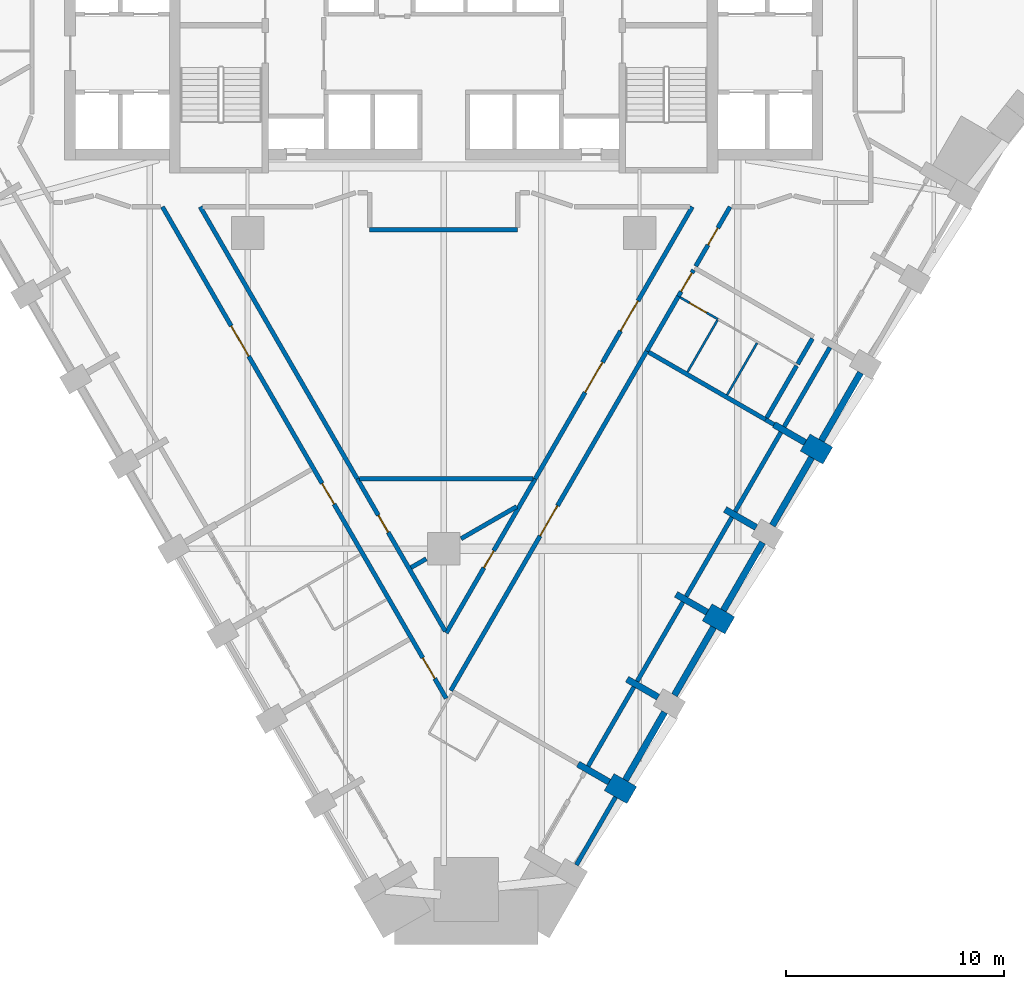
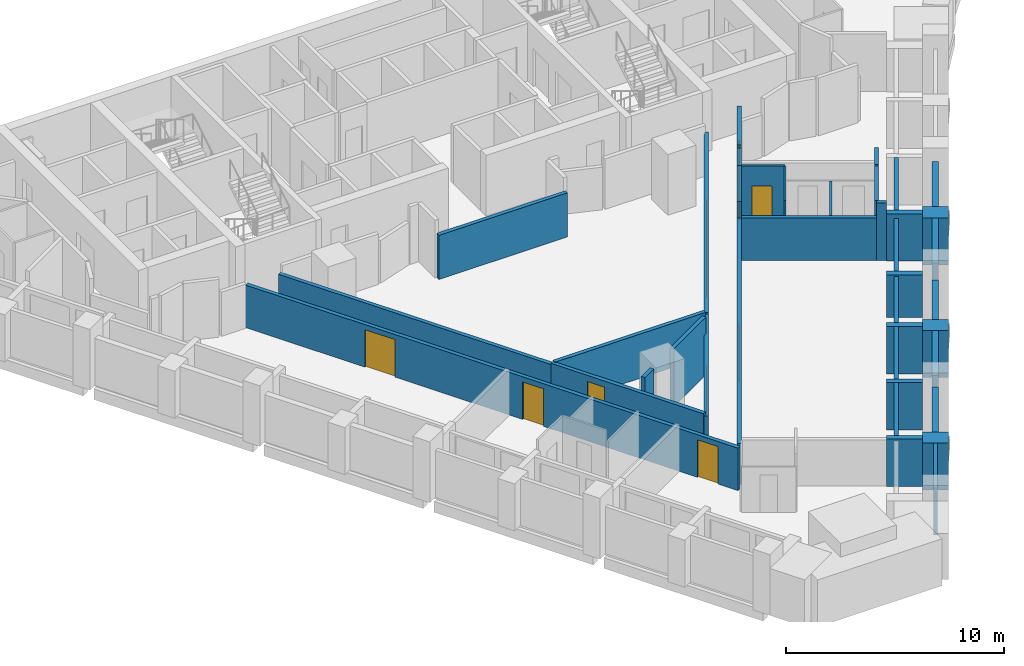
# One storey, part 4 of 10: 39 walls, 11 doors, 11 openings.
"""IFC4 building model written with IfcOpenShell, lengths in metres."""

from ifc_helpers import new_model, si_unit, direction, frame, frame_2d, origin, place, context, subcontext, project, spatial, rectangle, extrude, material, layer, layer_set, type_object, element, fill, save


model = new_model("IFC4")

# Units and contexts
model_context = context("Model", 3, precision=1e-05, world=origin(), true_north=direction((0.0, 1.0)))
body_context = subcontext(model_context, "Body", "Model", "MODEL_VIEW")
ifc_project = project(units=[si_unit("LENGTHUNIT", "METRE"), si_unit("AREAUNIT", "SQUARE_METRE"), si_unit("VOLUMEUNIT", "CUBIC_METRE"), si_unit("PLANEANGLEUNIT", "RADIAN"), si_unit("MASSUNIT", "GRAM", prefix="KILO")], contexts=[model_context])

# Site, building, storey
site_placement = place(None, origin())
site = spatial("IfcSite", under=ifc_project, at=site_placement, CompositionType="ELEMENT")
building_placement = place(site_placement, origin())
building = spatial("IfcBuilding", under=site, at=building_placement, Name="Calabash Gate Tower", CompositionType="ELEMENT")
storey_placement = place(building_placement, frame((0.0, 0.0, 102.0)))
storey = spatial("IfcBuildingStorey", under=building, at=storey_placement, Name="L22", CompositionType="ELEMENT", Elevation=102.0)

# Walls
ifc_material_1 = material(Name="Terracotta brick masonry, exposed face", Category="masonry")
ifc_layer_1 = layer(ifc_material_1, 1.199951171875)
ifc_layer_set_1 = layer_set([ifc_layer_1], Name="Brick end wall 1200")
wall_type_1 = type_object("IfcWallType", Name="Brick end wall 1200", PredefinedType="SOLIDWALL", material=ifc_layer_set_1)
for number, where, z_axis, x_axis, name in (
    (1, (7.59765625, -22.71240234375, 0.0), (0.0, 0.0, 1.0), (0.866043267704, -0.499969057507, 0.0), "Brick pier S06 SE2.1"),
    (2, (13.13671875, -15.51806640625, 0.0), (0.0, 0.0, 1.0), (-0.866043267704, 0.499969057507, 0.0), "Brick pier S06 SE2.3"),
):
    element("IfcWall", number, at=place(storey_placement, frame(where, z_axis=z_axis, x_axis=x_axis)), inside=storey, type_object=wall_type_1, Name=name, PredefinedType="SOLIDWALL", context=body_context, shape_type="SweptSolid", body=[
        extrude(rectangle(XDim=1.19970703125, YDim=0.89990234375, at=frame_2d((0.599853515625, 0.0))), origin(), (0.0, 0.0, 1.0), 2.6298828125),
    ])
wall_1_placement = place(storey_placement, frame((17.63671875, -7.723876953125, 0.0), z_axis=(0.0, 0.0, 1.0), x_axis=(-0.865955154139, 0.50012165622, 0.0)))
element("IfcWall", 3, at=wall_1_placement, inside=storey, type_object=wall_type_1, Name="Brick pier S06 SE2.5", PredefinedType="SOLIDWALL", context=body_context, shape_type="SweptSolid", body=[
    extrude(rectangle(XDim=1.199951171875, YDim=0.89990234375, at=frame_2d((0.60009765625, 0.0))), origin(), (0.0, 0.0, 1.0), 2.6298828125),
])
ifc_material_2 = material(Name="Terracotta brick masonry, exposed face", Category="masonry")
ifc_layer_2 = layer(ifc_material_2, 0.300048828125)
ifc_layer_set_2 = layer_set([ifc_layer_2], Name="Brick infill panel wall 300")
wall_type_2 = type_object("IfcWallType", Name="Brick infill panel wall 300", PredefinedType="SOLIDWALL", material=ifc_layer_set_2)
wall_2_placement = place(storey_placement, frame((8.342041015625, -22.62255859375, 0.0), z_axis=(0.0, 0.0, 1.0), x_axis=(0.500012057535, 0.866018442252, 0.0)))
element("IfcWall", 4, at=wall_2_placement, inside=storey, type_object=wall_type_2, Name="Brick panel S06 SE2.2", PredefinedType="SOLIDWALL", context=body_context, shape_type="SweptSolid", body=[
    extrude(rectangle(XDim=3.60009765625, YDim=0.300048828125, at=frame_2d((1.800048828125, 0.0))), origin(), (0.0, 0.0, 1.0), 2.6298828125),
])
wall_3_placement = place(storey_placement, frame((10.593017578125, -18.723876953125, 0.0), z_axis=(0.0, 0.0, 1.0), x_axis=(0.500014173611, 0.866017220491, 0.0)))
element("IfcWall", 5, at=wall_3_placement, inside=storey, type_object=wall_type_2, Name="Brick panel S06 SE2.3", PredefinedType="SOLIDWALL", context=body_context, shape_type="SweptSolid", body=[
    extrude(rectangle(XDim=3.59814453125, YDim=0.300048828125, at=frame_2d((1.799072265625, 0.0))), origin(), (0.0, 0.0, 1.0), 2.6298828125),
])
wall_4_placement = place(storey_placement, frame((12.842041015625, -14.828369140625, 0.0), z_axis=(0.0, 0.0, 1.0), x_axis=(0.500012057535, 0.866018442252, 0.0)))
element("IfcWall", 6, at=wall_4_placement, inside=storey, type_object=wall_type_2, Name="Brick panel S06 SE2.4", PredefinedType="SOLIDWALL", context=body_context, shape_type="SweptSolid", body=[
    extrude(rectangle(XDim=3.60009765625, YDim=0.300048828125, at=frame_2d((1.800048828125, 0.0))), origin(), (0.0, 0.0, 1.0), 2.302490234375),
])
for number, where, z_axis, x_axis, name in (
    (7, (15.092041015625, -10.931396484375, 0.0), (0.0, 0.0, 1.0), (0.500012057535, 0.866018442252, 0.0), "Brick panel S06 SE2.5"),
    (8, (17.342041015625, -7.0341796875, 0.0), (0.0, 0.0, 1.0), (0.500012057535, 0.866018442252, 0.0), "Brick panel S06 SE2.6"),
):
    element("IfcWall", number, at=place(storey_placement, frame(where, z_axis=z_axis, x_axis=x_axis)), inside=storey, type_object=wall_type_2, Name=name, PredefinedType="SOLIDWALL", context=body_context, shape_type="SweptSolid", body=[
        extrude(rectangle(XDim=3.60009765625, YDim=0.300048828125, at=frame_2d((1.800048828125, 0.0))), origin(), (0.0, 0.0, 1.0), 2.6298828125),
    ])
ifc_material_3 = material(Name="Terracotta brick masonry, exposed face", Category="masonry")
ifc_layer_3 = layer(ifc_material_3, 0.300048828125)
ifc_layer_set_3 = layer_set([ifc_layer_3], Name="Brick loggia cheek wall 300")
wall_type_3 = type_object("IfcWallType", Name="Brick loggia cheek wall 300", PredefinedType="SOLIDWALL", material=ifc_layer_set_3)
wall_5_placement = place(storey_placement, frame((7.59765625, -22.71240234375, 0.0), z_axis=(0.0, 0.0, 1.0), x_axis=(-0.866040211805, 0.499974350878, 0.0)))
element("IfcWall", 9, at=wall_5_placement, inside=storey, type_object=wall_type_3, Name="Loggia cheek S06 SE2.1", PredefinedType="SOLIDWALL", context=body_context, shape_type="SweptSolid", body=[
    extrude(rectangle(XDim=1.64990234375, YDim=0.300048828125, at=frame_2d((0.824951171875, 0.0))), origin(), (0.0, 0.0, 1.0), 2.64990234375),
])
wall_6_placement = place(storey_placement, frame((9.846435546875, -18.814697265625, 0.0), z_axis=(0.0, 0.0, 1.0), x_axis=(-0.865983361098, 0.500072813, 0.0)))
element("IfcWall", 10, at=wall_6_placement, inside=storey, type_object=wall_type_3, Name="Loggia cheek S06 SE2.2", PredefinedType="SOLIDWALL", context=body_context, shape_type="SweptSolid", body=[
    extrude(rectangle(XDim=1.648681640625, YDim=0.300048828125, at=frame_2d((0.82421875, 0.0))), origin(), (0.0, 0.0, 1.0), 2.64990234375),
])
wall_7_placement = place(storey_placement, frame((12.09765625, -14.918212890625, 0.0), z_axis=(0.0, 0.0, 1.0), x_axis=(-0.865976140824, 0.500085316245, 0.0)))
element("IfcWall", 11, at=wall_7_placement, inside=storey, type_object=wall_type_3, Name="Loggia cheek S06 SE2.3", PredefinedType="SOLIDWALL", context=body_context, shape_type="SweptSolid", body=[
    extrude(rectangle(XDim=1.650146484375, YDim=0.300048828125, at=frame_2d((0.8251953125, 0.0))), origin(), (0.0, 0.0, 1.0), 2.64990234375),
])
wall_8_placement = place(storey_placement, frame((14.347412109375, -11.02099609375, 0.0), z_axis=(0.0, 0.0, 1.0), x_axis=(-0.866003217194, 0.500038426333, 0.0)))
element("IfcWall", 12, at=wall_8_placement, inside=storey, type_object=wall_type_3, Name="Loggia cheek S06 SE2.4", PredefinedType="SOLIDWALL", context=body_context, shape_type="SweptSolid", body=[
    extrude(rectangle(XDim=1.649658203125, YDim=0.300048828125, at=frame_2d((0.82470703125, 0.0))), origin(), (0.0, 0.0, 1.0), 2.384033203125),
])
wall_9_placement = place(storey_placement, frame((15.168701171875, -6.298828125, 0.0), z_axis=(0.0, 0.0, 1.0), x_axis=(0.866040211805, -0.499974350878, 0.0)))
element("IfcWall", 13, at=wall_9_placement, inside=storey, type_object=wall_type_3, Name="Loggia cheek S06 SE2.5", PredefinedType="SOLIDWALL", context=body_context, shape_type="SweptSolid", body=[
    extrude(rectangle(XDim=1.64990234375, YDim=0.300048828125, at=frame_2d((0.824951171875, 0.0))), origin(), (0.0, 0.0, 1.0), 2.64990234375),
])
ifc_material_4 = material(Name="Gypsum board on steel studs, mineral wool", Category="steel")
ifc_layer_4 = layer(ifc_material_4, 0.10009765625)
ifc_layer_set_4 = layer_set([ifc_layer_4], Name="Partition 100 gypsum board")
wall_type_4 = type_object("IfcWallType", Name="Partition 100 gypsum board", PredefinedType="PARTITIONING", material=ifc_layer_set_4)
wall_10_placement = place(storey_placement, frame((13.01220703125, -4.93798828125, 0.0), z_axis=(0.0, 0.0, 1.0), x_axis=(0.499968400327, 0.866043647095, 0.0)))
element("IfcWall", 14, at=wall_10_placement, inside=storey, type_object=wall_type_4, Name="Partition", PredefinedType="PARTITIONING", context=body_context, shape_type="SweptSolid", body=[
    extrude(rectangle(XDim=2.749755859375, YDim=0.10009765625, at=frame_2d((1.375, 0.0))), origin(), (0.0, 0.0, 1.0), 2.384033203125),
])
wall_11_placement = place(storey_placement, frame((11.193359375, -3.88818359375, 0.0), z_axis=(0.0, 0.0, 1.0), x_axis=(0.499996545922, 0.866027397988, 0.0)))
element("IfcWall", 15, at=wall_11_placement, inside=storey, type_object=wall_type_4, Name="Partition", PredefinedType="PARTITIONING", context=body_context, shape_type="SweptSolid", body=[
    extrude(rectangle(XDim=2.75, YDim=0.10009765625, at=frame_2d((1.375, 0.0))), origin(), (0.0, 0.0, 1.0), 3.22998046875),
])

# Wall, opening, door
wall_12_placement = place(storey_placement, frame((10.860595703125, -0.461181640625, 0.0), z_axis=(0.0, 0.0, 1.0), x_axis=(0.865624045709, -0.500694529119, 0.0)))
wall_12 = element("IfcWall", 16, at=wall_12_placement, inside=storey, type_object=wall_type_4, Name="Partition", PredefinedType="PARTITIONING", context=body_context, shape_type="SweptSolid", body=[
    extrude(rectangle(XDim=1.999755859375, YDim=0.10009765625, at=frame_2d((1.0, 0.0))), origin(), (0.0, 0.0, 1.0), 3.22998046875),
])
opening_1_placement = place(wall_12_placement, frame((0.499755859375, 0.0, 0.0)))
opening_1 = element("IfcOpeningElement", 17, at=opening_1_placement, cuts=wall_12, Name="Opening 22-24-013", PredefinedType="OPENING", context=body_context, shape_type="SweptSolid", body=[
    extrude(rectangle(XDim=0.89990234375, YDim=2.10009765625, at=frame_2d((0.449951171875, 1.050048828125))), frame((0.0, 0.06005859375, 0.0), z_axis=(0.0, -1.0, 0.0), x_axis=(1.0, 0.0, 0.0)), (0.0, 0.0, 1.0), 0.1201171875),
])
ifc_material_5 = material(Name="Painted timber door", Category="wood")
door_type_1 = type_object("IfcDoorType", Name="WD1 WC door 900x2100", OperationType="NOTDEFINED", PredefinedType="DOOR", material=ifc_material_5)
door_1_placement = place(opening_1_placement, origin())
door_1 = element("IfcDoor", 18, at=door_1_placement, inside=storey, type_object=door_type_1, Name="WC door", OperationType="SINGLE_SWING_RIGHT", OverallHeight=2.10009765625, OverallWidth=0.89990234375, PredefinedType="DOOR", context=body_context, shape_type="SweptSolid", body=[
    extrude(rectangle(XDim=0.89990234375, YDim=2.10009765625, at=frame_2d((0.449951171875, 1.050048828125))), frame((0.0, 0.02490234375, 0.0), z_axis=(0.0, -1.0, 0.0), x_axis=(1.0, 0.0, 0.0)), (0.0, 0.0, 1.0), 0.050048828125),
])
fill(opening_1, door_1)

ifc_material_6 = material(Name="Gypsum board on steel studs, mineral wool", Category="steel")
ifc_layer_5 = layer(ifc_material_6, 0.199951171875)
ifc_layer_set_5 = layer_set([ifc_layer_5], Name="Partition 200 gypsum board EI 60")
wall_type_5 = type_object("IfcWallType", Name="Partition 200 gypsum board EI 60", PredefinedType="PARTITIONING", material=ifc_layer_set_5)
wall_13_placement = place(storey_placement, frame((0.117431640625, -15.867919921875, 0.0), z_axis=(0.0, 0.0, 1.0), x_axis=(0.500006185809, 0.866021832376, 0.0)))
wall_13 = element("IfcWall", 19, at=wall_13_placement, inside=storey, type_object=wall_type_5, Name="Partition", PredefinedType="PARTITIONING", context=body_context, shape_type="SweptSolid", body=[
    extrude(rectangle(XDim=8.16845703125, YDim=0.199951171875, at=frame_2d((4.084228515625, 0.0))), origin(), (0.0, 0.0, 1.0), 2.302490234375),
])
opening_2_placement = place(wall_13_placement, frame((3.45849609375, 0.0, 0.0)))
opening_2 = element("IfcOpeningElement", 20, at=opening_2_placement, cuts=wall_13, Name="Opening 22-24-007", PredefinedType="OPENING", context=body_context, shape_type="SweptSolid", body=[
    extrude(rectangle(XDim=0.89990234375, YDim=2.10009765625, at=frame_2d((0.449951171875, 1.050048828125))), frame((0.0, 0.10986328125, 0.0), z_axis=(0.0, -1.0, 0.0), x_axis=(1.0, 0.0, 0.0)), (0.0, 0.0, 1.0), 0.219970703125),
])
ifc_material_7 = material(Name="Steel fire door set with fire-resisting glazing", Category="steel")
door_type_2 = type_object("IfcDoorType", Name="SD3 Store door 900x2100", OperationType="NOTDEFINED", PredefinedType="DOOR", material=ifc_material_7)
door_2_placement = place(opening_2_placement, origin())
door_2 = element("IfcDoor", 21, at=door_2_placement, inside=storey, type_object=door_type_2, Name="Store door", OperationType="SINGLE_SWING_LEFT", OverallHeight=2.10009765625, OverallWidth=0.89990234375, PredefinedType="DOOR", context=body_context, shape_type="SweptSolid", body=[
    extrude(rectangle(XDim=0.89990234375, YDim=2.10009765625, at=frame_2d((0.449951171875, 1.050048828125))), frame((0.0, 0.02490234375, 0.0), z_axis=(0.0, -1.0, 0.0), x_axis=(1.0, 0.0, 0.0)), (0.0, 0.0, 1.0), 0.050048828125),
])
fill(opening_2, door_2)

# Walls
wall_14_placement = place(storey_placement, frame((-1.49951171875, -12.86376953125, 0.0), z_axis=(0.0, 0.0, 1.0), x_axis=(0.866955334919, 0.498385841749, 0.0)))
element("IfcWall", 22, at=wall_14_placement, inside=storey, type_object=wall_type_5, Name="Partition", PredefinedType="PARTITIONING", context=body_context, shape_type="SweptSolid", body=[
    extrude(rectangle(XDim=0.806884765625, YDim=0.199951171875, at=frame_2d((0.4033203125, 0.0))), origin(), (0.0, 0.0, 1.0), 3.22998046875),
])
wall_15_placement = place(storey_placement, frame((0.800048828125, -11.537841796875, 0.0), z_axis=(0.0, 0.0, 1.0), x_axis=(0.866017313224, 0.500014013, 0.0)))
element("IfcWall", 23, at=wall_15_placement, inside=storey, type_object=wall_type_5, Name="Partition", PredefinedType="PARTITIONING", context=body_context, shape_type="SweptSolid", body=[
    extrude(rectangle(XDim=2.94775390625, YDim=0.199951171875, at=frame_2d((1.473876953125, 0.0))), origin(), (0.0, 0.0, 1.0), 3.22998046875),
])

# Wall, opening, door
wall_16_placement = place(storey_placement, frame((-3.965087890625, -8.79296875, 0.0), z_axis=(0.0, 0.0, 1.0), x_axis=(0.499992237426, -0.866029885462, 0.0)))
wall_16 = element("IfcWall", 24, at=wall_16_placement, inside=storey, type_object=wall_type_5, Name="Partition", PredefinedType="PARTITIONING", context=body_context, shape_type="SweptSolid", body=[
    extrude(rectangle(XDim=8.068603515625, YDim=0.199951171875, at=frame_2d((4.0341796875, 0.0))), origin(), (0.0, 0.0, 1.0), 2.4501953125),
])
opening_3_placement = place(wall_16_placement, frame((1.92822265625, 0.0, 0.0)))
opening_3 = element("IfcOpeningElement", 25, at=opening_3_placement, cuts=wall_16, Name="Opening 22-24-008", PredefinedType="OPENING", context=body_context, shape_type="SweptSolid", body=[
    extrude(rectangle(XDim=0.89990234375, YDim=2.10009765625, at=frame_2d((0.449951171875, 1.050048828125))), frame((0.0, 0.10986328125, 0.0), z_axis=(0.0, -1.0, 0.0), x_axis=(1.0, 0.0, 0.0)), (0.0, 0.0, 1.0), 0.219970703125),
])
door_3_placement = place(opening_3_placement, origin())
door_3 = element("IfcDoor", 26, at=door_3_placement, inside=storey, type_object=door_type_2, Name="Store door", OperationType="SINGLE_SWING_LEFT", OverallHeight=2.10009765625, OverallWidth=0.89990234375, PredefinedType="DOOR", context=body_context, shape_type="SweptSolid", body=[
    extrude(rectangle(XDim=0.89990234375, YDim=2.10009765625, at=frame_2d((0.449951171875, 1.050048828125))), frame((0.0, 0.02490234375, 0.0), z_axis=(0.0, -1.0, 0.0), x_axis=(1.0, 0.0, 0.0)), (0.0, 0.0, 1.0), 0.050048828125),
])
fill(opening_3, door_3)

# Wall
wall_17_placement = place(storey_placement, frame((-3.865234375, -8.79296875, 0.0), z_axis=(0.0, 0.0, 1.0), x_axis=(1.0, 0.0, 0.0)))
element("IfcWall", 27, at=wall_17_placement, inside=storey, type_object=wall_type_5, Name="Partition", PredefinedType="PARTITIONING", context=body_context, shape_type="SweptSolid", body=[
    extrude(rectangle(XDim=7.96533203125, YDim=0.199951171875, at=frame_2d((3.982666015625, 0.0))), origin(), (0.0, 0.0, 1.0), 2.4736328125),
])

# Wall, openings, doors
wall_18_placement = place(storey_placement, frame((4.201171875, -8.791015625, 0.0), z_axis=(0.0, 0.0, 1.0), x_axis=(0.500109238176, 0.865962325907, 0.0)))
wall_18 = element("IfcWall", 28, at=wall_18_placement, inside=storey, type_object=wall_type_5, Name="Partition", PredefinedType="PARTITIONING", context=body_context, shape_type="SweptSolid", body=[
    extrude(rectangle(XDim=14.424072265625, YDim=0.199951171875, at=frame_2d((7.2119140625, 0.0))), origin(), (0.0, 0.0, 1.0), 2.384033203125),
])
opening_4_placement = place(wall_18_placement, frame((7.83935546875, 0.0, 0.0)))
opening_4 = element("IfcOpeningElement", 29, at=opening_4_placement, cuts=wall_18, Name="Opening 22-24-006", PredefinedType="OPENING", context=body_context, shape_type="SweptSolid", body=[
    extrude(rectangle(XDim=1.60009765625, YDim=2.10009765625, at=frame_2d((0.800048828125, 1.050048828125))), frame((0.0, 0.10986328125, 0.0), z_axis=(0.0, -1.0, 0.0), x_axis=(1.0, 0.0, 0.0)), (0.0, 0.0, 1.0), 0.219970703125),
])
opening_5_placement = place(wall_18_placement, frame((4.580322265625, 0.0, 0.0)))
opening_5 = element("IfcOpeningElement", 30, at=opening_5_placement, cuts=wall_18, Name="Opening 22-24-020", PredefinedType="OPENING", context=body_context, shape_type="SweptSolid", body=[
    extrude(rectangle(XDim=1.60009765625, YDim=2.10009765625, at=frame_2d((0.800048828125, 1.050048828125))), frame((0.0, 0.10986328125, 0.0), z_axis=(0.0, -1.0, 0.0), x_axis=(1.0, 0.0, 0.0)), (0.0, 0.0, 1.0), 0.219970703125),
])
ifc_material_8 = material(Name="Steel fire door set with fire-resisting glazing", Category="steel")
door_type_3 = type_object("IfcDoorType", Name="LD1 Lounge double door 1600x2100", OperationType="NOTDEFINED", PredefinedType="DOOR", material=ifc_material_8)
door_4_placement = place(opening_4_placement, origin())
door_4 = element("IfcDoor", 31, at=door_4_placement, inside=storey, type_object=door_type_3, Name="Lounge double door", OperationType="DOUBLE_DOOR_SINGLE_SWING", OverallHeight=2.10009765625, OverallWidth=1.60009765625, PredefinedType="DOOR", context=body_context, shape_type="SweptSolid", body=[
    extrude(rectangle(XDim=1.60009765625, YDim=2.10009765625, at=frame_2d((0.800048828125, 1.050048828125))), frame((0.0, 0.02490234375, 0.0), z_axis=(0.0, -1.0, 0.0), x_axis=(1.0, 0.0, 0.0)), (0.0, 0.0, 1.0), 0.050048828125),
])
fill(opening_4, door_4)
door_5_placement = place(opening_5_placement, origin())
door_5 = element("IfcDoor", 32, at=door_5_placement, inside=storey, type_object=door_type_3, Name="Lounge double door", OperationType="DOUBLE_DOOR_SINGLE_SWING", OverallHeight=2.10009765625, OverallWidth=1.60009765625, PredefinedType="DOOR", context=body_context, shape_type="SweptSolid", body=[
    extrude(rectangle(XDim=1.60009765625, YDim=2.10009765625, at=frame_2d((0.800048828125, 1.050048828125))), frame((0.0, 0.02490234375, 0.0), z_axis=(0.0, -1.0, 0.0), x_axis=(1.0, 0.0, 0.0)), (0.0, 0.0, 1.0), 0.050048828125),
])
fill(opening_5, door_5)

# Walls
wall_19_placement = place(storey_placement, frame((14.7802734375, -6.072265625, 0.0), z_axis=(0.0, 0.0, 1.0), x_axis=(0.864034851378, -0.503431997, 0.0)))
element("IfcWall", 33, at=wall_19_placement, inside=storey, type_object=wall_type_5, Name="Partition", PredefinedType="PARTITIONING", context=body_context, shape_type="SweptSolid", body=[
    extrude(rectangle(XDim=0.449462890625, YDim=0.199951171875, at=frame_2d((0.224609375, 0.0))), origin(), (0.0, 0.0, 1.0), 3.22998046875),
])
wall_20_placement = place(storey_placement, frame((14.828857421875, -5.987060546875, 0.0), z_axis=(0.0, 0.0, 1.0), x_axis=(0.499517615464, 0.866303729555, 0.0)))
element("IfcWall", 34, at=wall_20_placement, inside=storey, type_object=wall_type_5, Name="Partition", PredefinedType="PARTITIONING", context=body_context, shape_type="SweptSolid", body=[
    extrude(rectangle(XDim=2.751708984375, YDim=0.199951171875, at=frame_2d((1.3759765625, 0.0))), origin(), (0.0, 0.0, 1.0), 3.22998046875),
])
wall_21_placement = place(storey_placement, frame((16.25341796875, -3.5166015625, 0.0), z_axis=(0.0, 0.0, 1.0), x_axis=(0.500922210472, 0.865492310223, 0.0)))
element("IfcWall", 35, at=wall_21_placement, inside=storey, type_object=wall_type_5, Name="Partition", PredefinedType="PARTITIONING", context=body_context, shape_type="SweptSolid", body=[
    extrude(rectangle(XDim=1.35009765625, YDim=0.199951171875, at=frame_2d((0.675048828125, 0.0))), origin(), (0.0, 0.0, 1.0), 3.22998046875),
])
wall_22_placement = place(storey_placement, frame((9.412353515625, -2.97314453125, 0.0), z_axis=(0.0, 0.0, 1.0), x_axis=(0.866009125512, -0.500028193735, 0.0)))
element("IfcWall", 36, at=wall_22_placement, inside=storey, type_object=wall_type_5, Name="Partition", PredefinedType="PARTITIONING", context=body_context, shape_type="SweptSolid", body=[
    extrude(rectangle(XDim=6.197998046875, YDim=0.199951171875, at=frame_2d((3.09912109375, 0.0))), origin(), (0.0, 0.0, 1.0), 2.384033203125),
])

# Wall, opening, door
wall_23_placement = place(storey_placement, frame((0.32470703125, -18.513427734375, 0.0), z_axis=(0.0, 0.0, 1.0), x_axis=(0.499996012009, 0.86602770624, 0.0)))
wall_23 = element("IfcWall", 37, at=wall_23_placement, inside=storey, type_object=wall_type_5, Name="Partition", PredefinedType="PARTITIONING", context=body_context, shape_type="SweptSolid", body=[
    extrude(rectangle(XDim=18.000244140625, YDim=0.199951171875, at=frame_2d((9.0, 0.0))), origin(), (0.0, 0.0, 1.0), 2.302490234375),
])
opening_6_placement = place(wall_23_placement, frame((8.199951171875, 0.0, 0.0)))
opening_6 = element("IfcOpeningElement", 38, at=opening_6_placement, cuts=wall_23, Name="Opening 22-24-005", PredefinedType="OPENING", context=body_context, shape_type="SweptSolid", body=[
    extrude(rectangle(XDim=1.60009765625, YDim=2.10009765625, at=frame_2d((0.800048828125, 1.050048828125))), frame((0.0, 0.10986328125, 0.0), z_axis=(0.0, -1.0, 0.0), x_axis=(1.0, 0.0, 0.0)), (0.0, 0.0, 1.0), 0.219970703125),
])
door_6_placement = place(opening_6_placement, origin())
door_6 = element("IfcDoor", 39, at=door_6_placement, inside=storey, type_object=door_type_3, Name="Lounge double door", OperationType="DOUBLE_DOOR_SINGLE_SWING", OverallHeight=2.10009765625, OverallWidth=1.60009765625, PredefinedType="DOOR", context=body_context, shape_type="SweptSolid", body=[
    extrude(rectangle(XDim=1.60009765625, YDim=2.10009765625, at=frame_2d((0.800048828125, 1.050048828125))), frame((0.0, 0.02490234375, 0.0), z_axis=(0.0, -1.0, 0.0), x_axis=(1.0, 0.0, 0.0)), (0.0, 0.0, 1.0), 0.050048828125),
])
fill(opening_6, door_6)

# Wall
wall_24_placement = place(storey_placement, frame((9.32568359375, -2.923095703125, 0.0), z_axis=(0.0, 0.0, 1.0), x_axis=(0.499435738433, 0.866350935347, 0.0)))
element("IfcWall", 40, at=wall_24_placement, inside=storey, type_object=wall_type_5, Name="Partition", PredefinedType="PARTITIONING", context=body_context, shape_type="SweptSolid", body=[
    extrude(rectangle(XDim=2.899658203125, YDim=0.199951171875, at=frame_2d((1.44970703125, 0.0))), origin(), (0.0, 0.0, 1.0), 3.22998046875),
])

# Wall, opening, door
wall_25_placement = place(storey_placement, frame((10.774169921875, -0.410888671875, 0.0), z_axis=(0.0, 0.0, 1.0), x_axis=(0.500926145599, 0.865490032672, 0.0)))
wall_25 = element("IfcWall", 41, at=wall_25_placement, inside=storey, type_object=wall_type_5, Name="Partition", PredefinedType="PARTITIONING", context=body_context, shape_type="SweptSolid", body=[
    extrude(rectangle(XDim=1.398193359375, YDim=0.199951171875, at=frame_2d((0.69921875, 0.0))), origin(), (0.0, 0.0, 1.0), 3.22998046875),
])
opening_7_placement = place(wall_25_placement, frame((0.25, 0.0, 0.0)))
opening_7 = element("IfcOpeningElement", 42, at=opening_7_placement, cuts=wall_25, Name="Opening 22-24-012", PredefinedType="OPENING", context=body_context, shape_type="SweptSolid", body=[
    extrude(rectangle(XDim=1.0, YDim=2.10009765625, at=frame_2d((0.5, 1.050048828125))), frame((0.0, 0.10986328125, 0.0), z_axis=(0.0, -1.0, 0.0), x_axis=(1.0, 0.0, 0.0)), (0.0, 0.0, 1.0), 0.219970703125),
])
ifc_material_9 = material(Name="Steel fire door set with fire-resisting glazing", Category="steel")
door_type_4 = type_object("IfcDoorType", Name="WD3 WC lobby door 1000x2100", OperationType="NOTDEFINED", PredefinedType="DOOR", material=ifc_material_9)
door_7_placement = place(opening_7_placement, origin())
door_7 = element("IfcDoor", 43, at=door_7_placement, inside=storey, type_object=door_type_4, Name="WC lobby door", OperationType="SINGLE_SWING_LEFT", OverallHeight=2.10009765625, OverallWidth=1.0, PredefinedType="DOOR", context=body_context, shape_type="SweptSolid", body=[
    extrude(rectangle(XDim=1.0, YDim=2.10009765625, at=frame_2d((0.5, 1.050048828125))), frame((0.0, 0.02490234375, 0.0), z_axis=(0.0, -1.0, 0.0), x_axis=(1.0, 0.0, 0.0)), (0.0, 0.0, 1.0), 0.050048828125),
])
fill(opening_7, door_7)

wall_26_placement = place(storey_placement, frame((11.57421875, 0.97509765625, 0.0), z_axis=(0.0, 0.0, 1.0), x_axis=(0.500078475469, 0.86598009121, 0.0)))
wall_26 = element("IfcWall", 44, at=wall_26_placement, inside=storey, type_object=wall_type_5, Name="Partition", PredefinedType="PARTITIONING", context=body_context, shape_type="SweptSolid", body=[
    extrude(rectangle(XDim=3.14599609375, YDim=0.199951171875, at=frame_2d((1.572998046875, 0.0))), origin(), (0.0, 0.0, 1.0), 3.22998046875),
])
opening_8_placement = place(wall_26_placement, frame((1.122314453125, 0.0, 0.0)))
opening_8 = element("IfcOpeningElement", 45, at=opening_8_placement, cuts=wall_26, Name="Opening 22-24-018", PredefinedType="OPENING", context=body_context, shape_type="SweptSolid", body=[
    extrude(rectangle(XDim=0.89990234375, YDim=2.10009765625, at=frame_2d((0.449951171875, 1.050048828125))), frame((0.0, 0.10986328125, 0.0), z_axis=(0.0, -1.0, 0.0), x_axis=(1.0, 0.0, 0.0)), (0.0, 0.0, 1.0), 0.219970703125),
])
door_8_placement = place(opening_8_placement, origin())
door_8 = element("IfcDoor", 46, at=door_8_placement, inside=storey, type_object=door_type_2, Name="Store door", OperationType="SINGLE_SWING_RIGHT", OverallHeight=2.10009765625, OverallWidth=0.89990234375, PredefinedType="DOOR", context=body_context, shape_type="SweptSolid", body=[
    extrude(rectangle(XDim=0.89990234375, YDim=2.10009765625, at=frame_2d((0.449951171875, 1.050048828125))), frame((0.0, 0.02490234375, 0.0), z_axis=(0.0, -1.0, 0.0), x_axis=(1.0, 0.0, 0.0)), (0.0, 0.0, 1.0), 0.050048828125),
])
fill(opening_8, door_8)

# Wall
wall_27_placement = place(storey_placement, frame((-3.39990234375, 2.65234375, 0.0), z_axis=(0.0, 0.0, 1.0), x_axis=(1.0, 0.0, 0.0)))
element("IfcWall", 47, at=wall_27_placement, inside=storey, type_object=wall_type_5, Name="Partition", PredefinedType="PARTITIONING", context=body_context, shape_type="SweptSolid", body=[
    extrude(rectangle(XDim=6.7998046875, YDim=0.199951171875, at=frame_2d((3.39990234375, 0.0))), origin(), (0.0, 0.0, 1.0), 2.4736328125),
])

# Wall, openings, doors
wall_28_placement = place(storey_placement, frame((-12.91259765625, 3.699462890625, 0.0), z_axis=(0.0, 0.0, 1.0), x_axis=(0.499907630167, -0.866078726964, 0.0)))
wall_28 = element("IfcWall", 48, at=wall_28_placement, inside=storey, type_object=wall_type_5, Name="Partition", PredefinedType="PARTITIONING", context=body_context, shape_type="SweptSolid", body=[
    extrude(rectangle(XDim=26.0595703125, YDim=0.199951171875, at=frame_2d((13.02978515625, 0.0))), origin(), (0.0, 0.0, 1.0), 2.384033203125),
])
opening_9_placement = place(wall_28_placement, frame((6.311767578125, 0.0, 0.0)))
opening_9 = element("IfcOpeningElement", 49, at=opening_9_placement, cuts=wall_28, Name="Opening 22-24-001", PredefinedType="OPENING", context=body_context, shape_type="SweptSolid", body=[
    extrude(rectangle(XDim=1.60009765625, YDim=2.10009765625, at=frame_2d((0.800048828125, 1.050048828125))), frame((0.0, 0.10986328125, 0.0), z_axis=(0.0, -1.0, 0.0), x_axis=(1.0, 0.0, 0.0)), (0.0, 0.0, 1.0), 0.219970703125),
])
opening_10_placement = place(wall_28_placement, frame((14.661865234375, 0.0, 0.0)))
opening_10 = element("IfcOpeningElement", 50, at=opening_10_placement, cuts=wall_28, Name="Opening 22-24-002", PredefinedType="OPENING", context=body_context, shape_type="SweptSolid", body=[
    extrude(rectangle(XDim=1.10009765625, YDim=2.10009765625, at=frame_2d((0.550048828125, 1.050048828125))), frame((0.0, 0.10986328125, 0.0), z_axis=(0.0, -1.0, 0.0), x_axis=(1.0, 0.0, 0.0)), (0.0, 0.0, 1.0), 0.219970703125),
])
opening_11_placement = place(wall_28_placement, frame((23.910888671875, 0.0, 0.0)))
opening_11 = element("IfcOpeningElement", 51, at=opening_11_placement, cuts=wall_28, Name="Opening 22-24-019", PredefinedType="OPENING", context=body_context, shape_type="SweptSolid", body=[
    extrude(rectangle(XDim=1.10009765625, YDim=2.10009765625, at=frame_2d((0.550048828125, 1.050048828125))), frame((0.0, 0.10986328125, 0.0), z_axis=(0.0, -1.0, 0.0), x_axis=(1.0, 0.0, 0.0)), (0.0, 0.0, 1.0), 0.219970703125),
])
ifc_material_10 = material(Name="Steel fire door set with fire-resisting glazing", Category="steel")
door_type_5 = type_object("IfcDoorType", Name="GD3 Suite entrance door 1100x2100", OperationType="NOTDEFINED", PredefinedType="DOOR", material=ifc_material_10)
door_9_placement = place(opening_10_placement, origin())
door_9 = element("IfcDoor", 52, at=door_9_placement, inside=storey, type_object=door_type_5, Name="Suite entrance door", OperationType="SINGLE_SWING_RIGHT", OverallHeight=2.10009765625, OverallWidth=1.10009765625, PredefinedType="DOOR", context=body_context, shape_type="SweptSolid", body=[
    extrude(rectangle(XDim=1.10009765625, YDim=2.10009765625, at=frame_2d((0.550048828125, 1.050048828125))), frame((0.0, 0.02490234375, 0.0), z_axis=(0.0, -1.0, 0.0), x_axis=(1.0, 0.0, 0.0)), (0.0, 0.0, 1.0), 0.050048828125),
])
fill(opening_10, door_9)
door_10_placement = place(opening_11_placement, origin())
door_10 = element("IfcDoor", 53, at=door_10_placement, inside=storey, type_object=door_type_5, Name="Suite entrance door", OperationType="SINGLE_SWING_LEFT", OverallHeight=2.10009765625, OverallWidth=1.10009765625, PredefinedType="DOOR", context=body_context, shape_type="SweptSolid", body=[
    extrude(rectangle(XDim=1.10009765625, YDim=2.10009765625, at=frame_2d((0.550048828125, 1.050048828125))), frame((0.0, 0.02490234375, 0.0), z_axis=(0.0, -1.0, 0.0), x_axis=(1.0, 0.0, 0.0)), (0.0, 0.0, 1.0), 0.050048828125),
])
fill(opening_11, door_10)
door_11_placement = place(opening_9_placement, origin())
door_11 = element("IfcDoor", 54, at=door_11_placement, inside=storey, type_object=door_type_3, Name="Lounge double door", OperationType="DOUBLE_DOOR_SINGLE_SWING", OverallHeight=2.10009765625, OverallWidth=1.60009765625, PredefinedType="DOOR", context=body_context, shape_type="SweptSolid", body=[
    extrude(rectangle(XDim=1.60009765625, YDim=2.10009765625, at=frame_2d((0.800048828125, 1.050048828125))), frame((0.0, 0.02490234375, 0.0), z_axis=(0.0, -1.0, 0.0), x_axis=(1.0, 0.0, 0.0)), (0.0, 0.0, 1.0), 0.050048828125),
])
fill(opening_9, door_11)

# Walls
wall_29_placement = place(storey_placement, frame((-11.179931640625, 3.69970703125, 0.0), z_axis=(0.0, 0.0, 1.0), x_axis=(0.499994992015, -0.866028295127, 0.0)))
element("IfcWall", 55, at=wall_29_placement, inside=storey, type_object=wall_type_5, Name="Partition", PredefinedType="PARTITIONING", context=body_context, shape_type="SweptSolid", body=[
    extrude(rectangle(XDim=14.423095703125, YDim=0.199951171875, at=frame_2d((7.21142578125, 0.0))), origin(), (0.0, 0.0, 1.0), 2.384033203125),
])
ifc_material_11 = material(Name="Terracotta brick masonry, perforated", Category="masonry")
ifc_layer_6 = layer(ifc_material_11, 0.199951171875)
ifc_layer_set_6 = layer_set([ifc_layer_6], Name="Terracotta jaali screen B")
wall_type_6 = type_object("IfcWallType", Name="Terracotta jaali screen B", PredefinedType="SOLIDWALL", material=ifc_layer_set_6)
wall_30_placement = place(storey_placement, frame((6.092041015625, -26.519775390625, 0.0), z_axis=(0.0, 0.0, 1.0), x_axis=(0.500012057535, 0.866018442252, 0.0)))
element("IfcWall", 56, at=wall_30_placement, inside=storey, type_object=wall_type_6, Name="SCREEN B S06 SE2.1", PredefinedType="SOLIDWALL", context=body_context, shape_type="SweptSolid", body=[
    extrude(rectangle(XDim=3.60009765625, YDim=0.199951171875, at=frame_2d((1.800048828125, 0.0))), origin(), (0.0, 0.0, 1.0), 2.6298828125),
])
ifc_material_12 = material(Name="Aluminium framed window wall with insulated spandrel", Category="aluminium")
ifc_layer_7 = layer(ifc_material_12, 0.199951171875)
ifc_layer_set_7 = layer_set([ifc_layer_7], Name="Window wall 200")
wall_type_7 = type_object("IfcWallType", Name="Window wall 200", PredefinedType="ELEMENTEDWALL", material=ifc_layer_set_7)
wall_31_placement = place(storey_placement, frame((6.63330078125, -21.982421875, 0.0), z_axis=(0.0, 0.0, 1.0), x_axis=(0.500027713859, 0.866009402589, 0.0)))
element("IfcWall", 57, at=wall_31_placement, inside=storey, type_object=wall_type_7, Name="Window wall S06 SE2.2", PredefinedType="ELEMENTEDWALL", context=body_context, shape_type="SweptSolid", body=[
    extrude(rectangle(XDim=4.199951171875, YDim=0.199951171875, at=frame_2d((2.10009765625, 0.0))), origin(), (0.0, 0.0, 1.0), 2.64990234375),
])
wall_32_placement = place(storey_placement, frame((8.88330078125, -18.08544921875, 0.0), z_axis=(0.0, 0.0, 1.0), x_axis=(0.500002543286, 0.866023935413, 0.0)))
element("IfcWall", 58, at=wall_32_placement, inside=storey, type_object=wall_type_7, Name="Window wall S06 SE2.3", PredefinedType="ELEMENTEDWALL", context=body_context, shape_type="SweptSolid", body=[
    extrude(rectangle(XDim=4.2001953125, YDim=0.199951171875, at=frame_2d((2.10009765625, 0.0))), origin(), (0.0, 0.0, 1.0), 2.64990234375),
])
wall_33_placement = place(storey_placement, frame((11.13330078125, -14.188232421875, 0.0), z_axis=(0.0, 0.0, 1.0), x_axis=(0.500027713859, 0.866009402589, 0.0)))
element("IfcWall", 59, at=wall_33_placement, inside=storey, type_object=wall_type_7, Name="Window wall S06 SE2.4", PredefinedType="ELEMENTEDWALL", context=body_context, shape_type="SweptSolid", body=[
    extrude(rectangle(XDim=4.199951171875, YDim=0.199951171875, at=frame_2d((2.10009765625, 0.0))), origin(), (0.0, 0.0, 1.0), 2.302490234375),
])
wall_34_placement = place(storey_placement, frame((13.38330078125, -10.291015625, 0.0), z_axis=(0.0, 0.0, 1.0), x_axis=(0.500027713859, 0.866009402589, 0.0)))
element("IfcWall", 60, at=wall_34_placement, inside=storey, type_object=wall_type_7, Name="Window wall S06 SE2.5", PredefinedType="ELEMENTEDWALL", context=body_context, shape_type="SweptSolid", body=[
    extrude(rectangle(XDim=4.199951171875, YDim=0.199951171875, at=frame_2d((2.10009765625, 0.0))), origin(), (0.0, 0.0, 1.0), 2.384033203125),
])
wall_35_placement = place(storey_placement, frame((15.63330078125, -6.39404296875, 0.0), z_axis=(0.0, 0.0, 1.0), x_axis=(0.500002543286, 0.866023935413, 0.0)))
element("IfcWall", 61, at=wall_35_placement, inside=storey, type_object=wall_type_7, Name="Window wall S06 SE2.6", PredefinedType="ELEMENTEDWALL", context=body_context, shape_type="SweptSolid", body=[
    extrude(rectangle(XDim=4.2001953125, YDim=0.199951171875, at=frame_2d((2.10009765625, 0.0))), origin(), (0.0, 0.0, 1.0), 2.64990234375),
])

save(model, "model.ifc")
